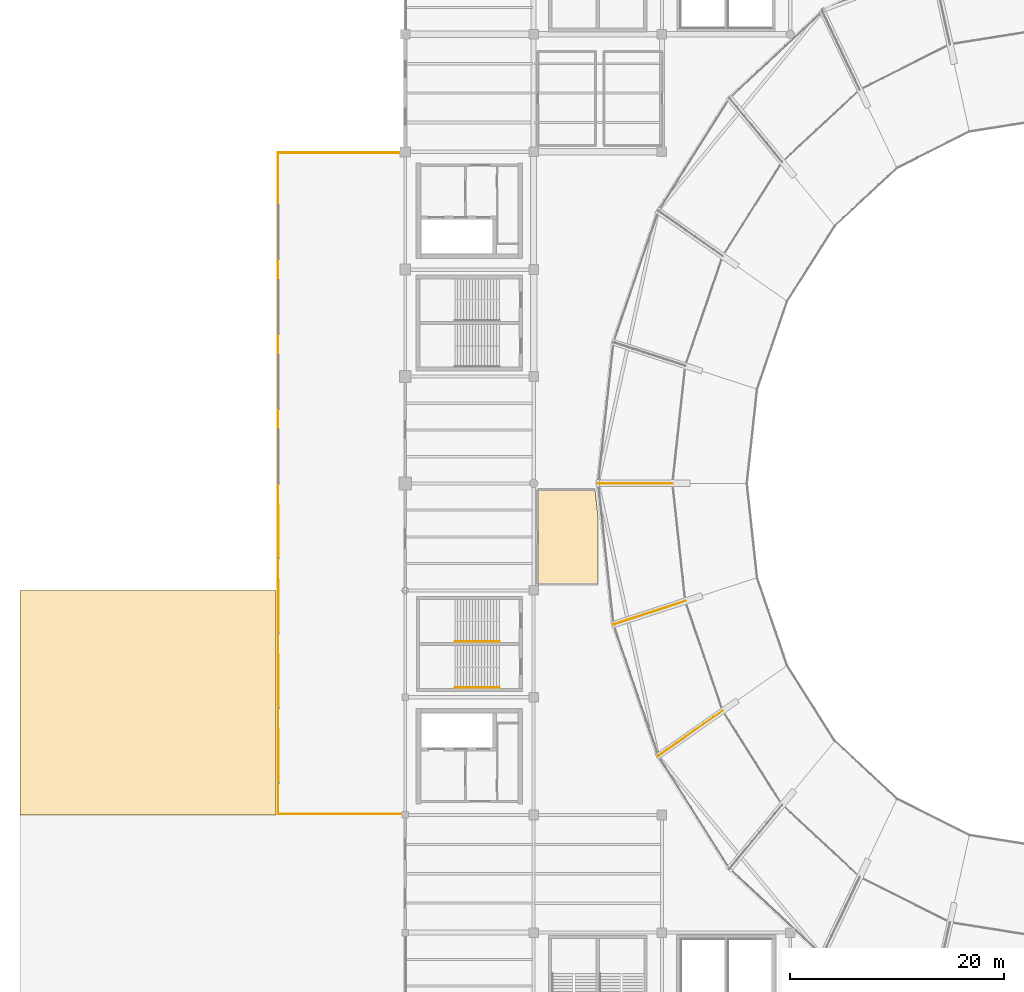
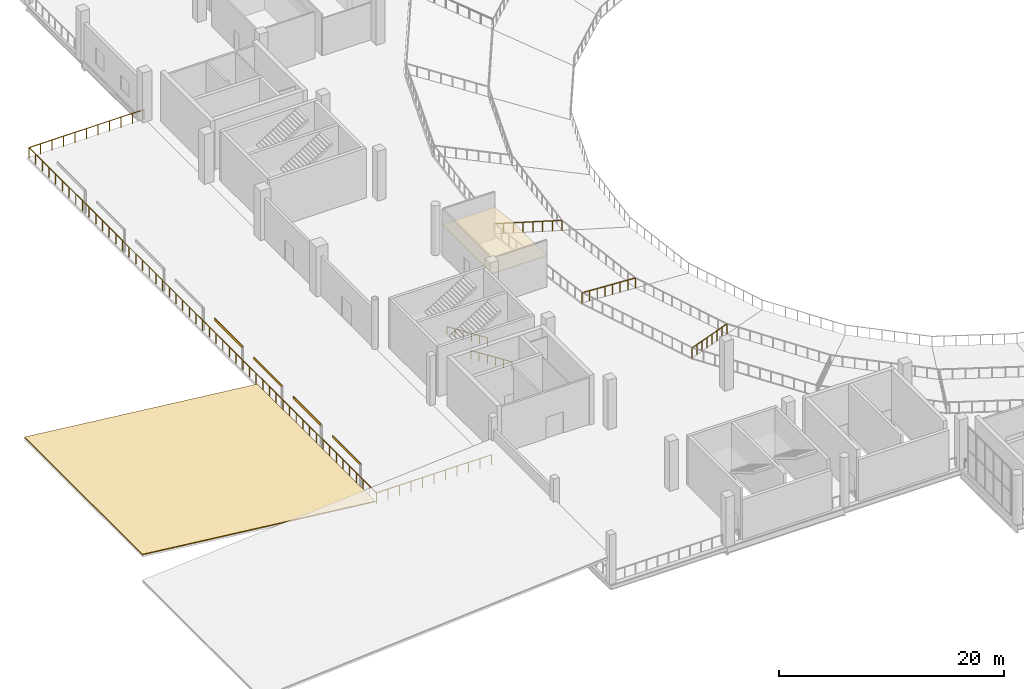
# One storey, part 64 of 74: 6 railings, 4 shading devices, 2 coverings.
"""IFC4 building model written with IfcOpenShell, lengths in metres."""

from ifc_helpers import new_model, si_unit, direction, frame, origin, origin_2d, place, context, subcontext, project, spatial, polyline, rectangle, circle, outline, extrude, material, layer, layer_set, material_profile, profile_set, type_object, element, save


model = new_model("IFC4")

# Units and contexts
model_context = context("Model", 3, precision=1e-05, world=origin(), true_north=direction((0.0, 1.0)))
body_context = subcontext(model_context, "Body", "Model", "MODEL_VIEW")
ifc_project = project(units=[si_unit("LENGTHUNIT", "METRE"), si_unit("AREAUNIT", "SQUARE_METRE"), si_unit("VOLUMEUNIT", "CUBIC_METRE"), si_unit("PLANEANGLEUNIT", "RADIAN"), si_unit("MASSUNIT", "GRAM", prefix="KILO")], contexts=[model_context])

# Site, building, storey
site_placement = place(None, origin())
site = spatial("IfcSite", under=ifc_project, at=site_placement, CompositionType="ELEMENT")
building_placement = place(site_placement, origin())
building = spatial("IfcBuilding", under=site, at=building_placement, Name="Brinegate Civic Arena", CompositionType="ELEMENT")
storey_placement = place(building_placement, frame((0.0, 0.0, 19.199951171875)))
storey = spatial("IfcBuildingStorey", under=building, at=storey_placement, Name="L04", CompositionType="ELEMENT", Elevation=19.199951171875)

# Covering
ifc_material_1 = material(Name="Acoustic perforated aluminium ceiling", Category="aluminium")
ifc_layer_1 = layer(ifc_material_1, 0.044921875, Name="Acoustic perforated aluminium ceiling")
ifc_layer_set_1 = layer_set([ifc_layer_1], Name="Acoustic perforated aluminium ceiling")
covering_type_1 = type_object("IfcCoveringType", Name="CEILING-BAFFLE-45", PredefinedType="CEILING", material=ifc_layer_set_1)
covering_1_placement = place(storey_placement, frame((0.0, 0.0, 3.304931640625)))
element("IfcCovering", 1, at=covering_1_placement, inside=storey, type_object=covering_type_1, Name="Acoustic Ceiling L04-005", PredefinedType="CEILING", context=body_context, shape_type="SweptSolid", body=[
    extrude(outline(polyline([(60.39599609375, 52.580078125), (60.39404296875, 52.5810546875), (60.39208984375, 52.58203125), (60.39111328125, 52.58203125), (60.388916015625, 52.5830078125), (60.386962890625, 52.5849609375), (60.385986328125, 52.5859375), (60.385009765625, 52.5869140625), (60.383056640625, 52.589111328125), (60.382080078125, 52.591064453125), (60.382080078125, 52.592041015625), (60.381103515625, 52.593994140625), (60.3798828125, 52.595947265625), (60.3798828125, 52.597900390625), (60.3798828125, 52.60009765625), (60.3798828125, 61.39990234375), (60.3798828125, 61.402099609375), (60.3798828125, 61.404052734375), (60.381103515625, 61.406005859375), (60.382080078125, 61.407958984375), (60.382080078125, 61.408935546875), (60.383056640625, 61.410888671875), (60.385009765625, 61.4130859375), (60.385986328125, 61.4140625), (60.386962890625, 61.4150390625), (60.388916015625, 61.4169921875), (60.39111328125, 61.41796875), (60.39208984375, 61.41796875), (60.39404296875, 61.4189453125), (60.39599609375, 61.419921875), (60.39794921875, 61.419921875), (60.39990234375, 61.419921875), (65.72412109375, 61.419921875), (65.72607421875, 61.419921875), (65.72802734375, 61.419921875), (65.72998046875, 61.4189453125), (65.73193359375, 61.41796875), (65.73291015625, 61.41796875), (65.735107421875, 61.4169921875), (65.737060546875, 61.416015625), (65.738037109375, 61.4140625), (65.739013671875, 61.4130859375), (65.740966796875, 61.410888671875), (65.741943359375, 61.409912109375), (65.741943359375, 61.407958984375), (65.742919921875, 61.406005859375), (65.743896484375, 61.404052734375), (65.743896484375, 61.402099609375), (66.02001953125, 58.85693359375), (66.02001953125, 58.85498046875), (66.02001953125, 52.60009765625), (66.02001953125, 52.597900390625), (66.02001953125, 52.595947265625), (66.01904296875, 52.593994140625), (66.01806640625, 52.592041015625), (66.01806640625, 52.591064453125), (66.01708984375, 52.589111328125), (66.014892578125, 52.5869140625), (66.013916015625, 52.5859375), (66.012939453125, 52.5849609375), (66.010986328125, 52.5830078125), (66.009033203125, 52.58203125), (66.008056640625, 52.58203125), (66.006103515625, 52.5810546875), (66.00390625, 52.580078125), (66.001953125, 52.580078125), (66.0, 52.580078125), (60.39990234375, 52.580078125), (60.39794921875, 52.580078125), (60.39599609375, 52.580078125)])), origin(), (0.0, 0.0, 1.0), 0.045166015625),
])

# Railings
ifc_material_2 = material(Name="Architectural stainless steel balustrade", Category="steel")
railing_type_1 = type_object("IfcRailingType", Name="RAIL-BOWL-BARRIER-1100", PredefinedType="GUARDRAIL", material=ifc_material_2)
railing_1_placement = place(storey_placement, frame((73.0, 62.0, -2.074951171875)))
element("IfcRailing", 2, at=railing_1_placement, inside=storey, type_object=railing_type_1, Name="Upper Bowl Radial Aisle Guard RAD-13", PredefinedType="GUARDRAIL", context=body_context, shape_type="SweptSolid", body=[
    extrude(circle(Radius=0.02392578125, at=origin_2d()), frame((-0.00146484375, 0.0, 1.096435546875), z_axis=(-0.958765384118, 0.0, 0.284198765333), x_axis=(0.0, -1.0, 0.0)), (0.0, 0.0, 1.0), 7.298095703125),
    extrude(circle(Radius=0.02099609375, at=origin_2d()), origin(), (0.0, 0.0, 1.0), 1.070068359375),
    extrude(circle(Radius=0.02099609375, at=origin_2d()), frame((-1.0, 0.0, 0.29638671875)), (0.0, 0.0, 1.0), 1.070068359375),
    extrude(circle(Radius=0.02099609375, at=origin_2d()), frame((-2.0, 0.0, 0.5927734375)), (0.0, 0.0, 1.0), 1.070068359375),
    extrude(circle(Radius=0.02099609375, at=origin_2d()), frame((-3.0, 0.0, 0.88916015625)), (0.0, 0.0, 1.0), 1.070068359375),
    extrude(circle(Radius=0.02099609375, at=origin_2d()), frame((-4.0, 0.0, 1.185791015625)), (0.0, 0.0, 1.0), 1.070068359375),
    extrude(circle(Radius=0.02099609375, at=origin_2d()), frame((-5.0, 0.0, 1.482177734375)), (0.0, 0.0, 1.0), 1.070068359375),
    extrude(circle(Radius=0.02099609375, at=origin_2d()), frame((-6.0, 0.0, 1.778564453125)), (0.0, 0.0, 1.0), 1.070068359375),
    extrude(circle(Radius=0.02099609375, at=origin_2d()), frame((-7.0, 0.0, 2.074951171875)), (0.0, 0.0, 1.0), 1.070068359375),
])
railing_2_placement = place(storey_placement, frame((74.193115234375, 51.0, -2.074951171875)))
element("IfcRailing", 3, at=railing_2_placement, inside=storey, type_object=railing_type_1, Name="Upper Bowl Radial Aisle Guard RAD-14", PredefinedType="GUARDRAIL", context=body_context, shape_type="SweptSolid", body=[
    extrude(circle(Radius=0.02392578125, at=origin_2d()), frame((-0.00146484375, -0.00048828125, 1.096435546875), z_axis=(-0.912873268737, -0.296985378893, 0.280110835114), x_axis=(0.309370189607, -0.950941683692, 0.0)), (0.0, 0.0, 1.0), 7.404541015625),
    extrude(circle(Radius=0.02099609375, at=origin_2d()), origin(), (0.0, 0.0, 1.0), 1.070068359375),
    extrude(circle(Radius=0.02099609375, at=origin_2d()), frame((-0.966064453125, -0.314208984375, 0.29638671875)), (0.0, 0.0, 1.0), 1.070068359375),
    extrude(circle(Radius=0.02099609375, at=origin_2d()), frame((-1.93212890625, -0.628662109375, 0.5927734375)), (0.0, 0.0, 1.0), 1.070068359375),
    extrude(circle(Radius=0.02099609375, at=origin_2d()), frame((-2.898193359375, -0.94287109375, 0.88916015625)), (0.0, 0.0, 1.0), 1.070068359375),
    extrude(circle(Radius=0.02099609375, at=origin_2d()), frame((-3.864013671875, -1.257080078125, 1.185791015625)), (0.0, 0.0, 1.0), 1.070068359375),
    extrude(circle(Radius=0.02099609375, at=origin_2d()), frame((-4.830078125, -1.5712890625, 1.482177734375)), (0.0, 0.0, 1.0), 1.070068359375),
    extrude(circle(Radius=0.02099609375, at=origin_2d()), frame((-5.796142578125, -1.8857421875, 1.778564453125)), (0.0, 0.0, 1.0), 1.070068359375),
    extrude(circle(Radius=0.02099609375, at=origin_2d()), frame((-6.76220703125, -2.199951171875, 2.074951171875)), (0.0, 0.0, 1.0), 1.070068359375),
])
railing_3_placement = place(storey_placement, frame((77.68896484375, 40.75, -2.074951171875)))
element("IfcRailing", 4, at=railing_3_placement, inside=storey, type_object=railing_type_1, Name="Upper Bowl Radial Aisle Guard RAD-15", PredefinedType="GUARDRAIL", context=body_context, shape_type="SweptSolid", body=[
    extrude(circle(Radius=0.02392578125, at=origin_2d()), frame((-0.001220703125, -0.000732421875, 1.096435546875), z_axis=(-0.788432626392, -0.552760175603, 0.269870676267), x_axis=(0.574059757588, -0.818813406533, 0.0)), (0.0, 0.0, 1.0), 7.685791015625),
    extrude(circle(Radius=0.02099609375, at=origin_2d()), origin(), (0.0, 0.0, 1.0), 1.070068359375),
    extrude(circle(Radius=0.02099609375, at=origin_2d()), frame((-0.865966796875, -0.607177734375, 0.29638671875)), (0.0, 0.0, 1.0), 1.070068359375),
    extrude(circle(Radius=0.02099609375, at=origin_2d()), frame((-1.73193359375, -1.21435546875, 0.5927734375)), (0.0, 0.0, 1.0), 1.070068359375),
    extrude(circle(Radius=0.02099609375, at=origin_2d()), frame((-2.597900390625, -1.821533203125, 0.88916015625)), (0.0, 0.0, 1.0), 1.070068359375),
    extrude(circle(Radius=0.02099609375, at=origin_2d()), frame((-3.464111328125, -2.428466796875, 1.185791015625)), (0.0, 0.0, 1.0), 1.070068359375),
    extrude(circle(Radius=0.02099609375, at=origin_2d()), frame((-4.330078125, -3.03564453125, 1.482177734375)), (0.0, 0.0, 1.0), 1.070068359375),
    extrude(circle(Radius=0.02099609375, at=origin_2d()), frame((-5.196044921875, -3.642822265625, 1.778564453125)), (0.0, 0.0, 1.0), 1.070068359375),
    extrude(circle(Radius=0.02099609375, at=origin_2d()), frame((-6.06201171875, -4.25, 2.074951171875)), (0.0, 0.0, 1.0), 1.070068359375),
])
railing_type_2 = type_object("IfcRailingType", Name="RAIL-EXT-GUARD-1100", PredefinedType="GUARDRAIL", material=ifc_material_2)
railing_4_placement = place(storey_placement, frame((47.919921875, 31.080078125, 0.0)))
element("IfcRailing", 5, at=railing_4_placement, inside=storey, type_object=railing_type_2, Name="L04 Outdoor Loggia Perimeter Guard GR-02", PredefinedType="GUARDRAIL", context=body_context, shape_type="SweptSolid", body=[
    extrude(circle(Radius=0.02392578125, at=origin_2d()), frame((-0.00146484375, 0.0, 1.09619140625), z_axis=(-1.0, 0.0, 0.0), x_axis=(0.0, -1.0, 0.0)), (0.0, 0.0, 1.0), 11.8369140625),
    extrude(circle(Radius=0.02392578125, at=origin_2d()), frame((-11.83984375, 0.00146484375, 1.09619140625), z_axis=(0.0, 1.0, 0.0), x_axis=(-1.0, 0.0, 0.0)), (0.0, 0.0, 1.0), 61.8369140625),
    extrude(circle(Radius=0.02392578125, at=origin_2d()), frame((-11.83837890625, 61.83984375, 1.09619140625), z_axis=(1.0, 0.0, 0.0), x_axis=(0.0, 1.0, 0.0)), (0.0, 0.0, 1.0), 11.8369140625),
    extrude(circle(Radius=0.02099609375, at=origin_2d()), origin(), (0.0, 0.0, 1.0), 1.070068359375),
    extrude(circle(Radius=0.02099609375, at=origin_2d()), frame((-1.18408203125, 0.0, 0.0)), (0.0, 0.0, 1.0), 1.070068359375),
    extrude(circle(Radius=0.02099609375, at=origin_2d()), frame((-2.367919921875, 0.0, 0.0)), (0.0, 0.0, 1.0), 1.070068359375),
    extrude(circle(Radius=0.02099609375, at=origin_2d()), frame((-3.552001953125, 0.0, 0.0)), (0.0, 0.0, 1.0), 1.070068359375),
    extrude(circle(Radius=0.02099609375, at=origin_2d()), frame((-4.73583984375, 0.0, 0.0)), (0.0, 0.0, 1.0), 1.070068359375),
    extrude(circle(Radius=0.02099609375, at=origin_2d()), frame((-5.919921875, 0.0, 0.0)), (0.0, 0.0, 1.0), 1.070068359375),
    extrude(circle(Radius=0.02099609375, at=origin_2d()), frame((-7.10400390625, 0.0, 0.0)), (0.0, 0.0, 1.0), 1.070068359375),
    extrude(circle(Radius=0.02099609375, at=origin_2d()), frame((-8.287841796875, 0.0, 0.0)), (0.0, 0.0, 1.0), 1.070068359375),
    extrude(circle(Radius=0.02099609375, at=origin_2d()), frame((-9.471923828125, 0.0, 0.0)), (0.0, 0.0, 1.0), 1.070068359375),
    extrude(circle(Radius=0.02099609375, at=origin_2d()), frame((-10.65576171875, 0.0, 0.0)), (0.0, 0.0, 1.0), 1.070068359375),
    extrude(circle(Radius=0.02099609375, at=origin_2d()), frame((-11.83984375, 0.0, 0.0)), (0.0, 0.0, 1.0), 1.070068359375),
    extrude(circle(Radius=0.02099609375, at=origin_2d()), frame((-11.83984375, 1.189208984375, 0.0)), (0.0, 0.0, 1.0), 1.070068359375),
    extrude(circle(Radius=0.02099609375, at=origin_2d()), frame((-11.83984375, 2.37841796875, 0.0)), (0.0, 0.0, 1.0), 1.070068359375),
    extrude(circle(Radius=0.02099609375, at=origin_2d()), frame((-11.83984375, 3.567626953125, 0.0)), (0.0, 0.0, 1.0), 1.070068359375),
    extrude(circle(Radius=0.02099609375, at=origin_2d()), frame((-11.83984375, 4.7568359375, 0.0)), (0.0, 0.0, 1.0), 1.070068359375),
    extrude(circle(Radius=0.02099609375, at=origin_2d()), frame((-11.83984375, 5.946044921875, 0.0)), (0.0, 0.0, 1.0), 1.070068359375),
    extrude(circle(Radius=0.02099609375, at=origin_2d()), frame((-11.83984375, 7.13525390625, 0.0)), (0.0, 0.0, 1.0), 1.070068359375),
    extrude(circle(Radius=0.02099609375, at=origin_2d()), frame((-11.83984375, 8.32470703125, 0.0)), (0.0, 0.0, 1.0), 1.070068359375),
    extrude(circle(Radius=0.02099609375, at=origin_2d()), frame((-11.83984375, 9.513916015625, 0.0)), (0.0, 0.0, 1.0), 1.070068359375),
    extrude(circle(Radius=0.02099609375, at=origin_2d()), frame((-11.83984375, 10.703125, 0.0)), (0.0, 0.0, 1.0), 1.070068359375),
    extrude(circle(Radius=0.02099609375, at=origin_2d()), frame((-11.83984375, 11.892333984375, 0.0)), (0.0, 0.0, 1.0), 1.070068359375),
    extrude(circle(Radius=0.02099609375, at=origin_2d()), frame((-11.83984375, 13.08154296875, 0.0)), (0.0, 0.0, 1.0), 1.070068359375),
    extrude(circle(Radius=0.02099609375, at=origin_2d()), frame((-11.83984375, 14.270751953125, 0.0)), (0.0, 0.0, 1.0), 1.070068359375),
    extrude(circle(Radius=0.02099609375, at=origin_2d()), frame((-11.83984375, 15.4599609375, 0.0)), (0.0, 0.0, 1.0), 1.070068359375),
    extrude(circle(Radius=0.02099609375, at=origin_2d()), frame((-11.83984375, 16.649169921875, 0.0)), (0.0, 0.0, 1.0), 1.070068359375),
    extrude(circle(Radius=0.02099609375, at=origin_2d()), frame((-11.83984375, 17.83837890625, 0.0)), (0.0, 0.0, 1.0), 1.070068359375),
    extrude(circle(Radius=0.02099609375, at=origin_2d()), frame((-11.83984375, 19.027587890625, 0.0)), (0.0, 0.0, 1.0), 1.070068359375),
    extrude(circle(Radius=0.02099609375, at=origin_2d()), frame((-11.83984375, 20.216796875, 0.0)), (0.0, 0.0, 1.0), 1.070068359375),
    extrude(circle(Radius=0.02099609375, at=origin_2d()), frame((-11.83984375, 21.406005859375, 0.0)), (0.0, 0.0, 1.0), 1.070068359375),
    extrude(circle(Radius=0.02099609375, at=origin_2d()), frame((-11.83984375, 22.59521484375, 0.0)), (0.0, 0.0, 1.0), 1.070068359375),
    extrude(circle(Radius=0.02099609375, at=origin_2d()), frame((-11.83984375, 23.78466796875, 0.0)), (0.0, 0.0, 1.0), 1.070068359375),
    extrude(circle(Radius=0.02099609375, at=origin_2d()), frame((-11.83984375, 24.973876953125, 0.0)), (0.0, 0.0, 1.0), 1.070068359375),
    extrude(circle(Radius=0.02099609375, at=origin_2d()), frame((-11.83984375, 26.1630859375, 0.0)), (0.0, 0.0, 1.0), 1.070068359375),
    extrude(circle(Radius=0.02099609375, at=origin_2d()), frame((-11.83984375, 27.352294921875, 0.0)), (0.0, 0.0, 1.0), 1.070068359375),
    extrude(circle(Radius=0.02099609375, at=origin_2d()), frame((-11.83984375, 28.54150390625, 0.0)), (0.0, 0.0, 1.0), 1.070068359375),
    extrude(circle(Radius=0.02099609375, at=origin_2d()), frame((-11.83984375, 29.730712890625, 0.0)), (0.0, 0.0, 1.0), 1.070068359375),
    extrude(circle(Radius=0.02099609375, at=origin_2d()), frame((-11.83984375, 30.919921875, 0.0)), (0.0, 0.0, 1.0), 1.070068359375),
    extrude(circle(Radius=0.02099609375, at=origin_2d()), frame((-11.83984375, 32.109130859375, 0.0)), (0.0, 0.0, 1.0), 1.070068359375),
    extrude(circle(Radius=0.02099609375, at=origin_2d()), frame((-11.83984375, 33.29833984375, 0.0)), (0.0, 0.0, 1.0), 1.070068359375),
    extrude(circle(Radius=0.02099609375, at=origin_2d()), frame((-11.83984375, 34.487548828125, 0.0)), (0.0, 0.0, 1.0), 1.070068359375),
    extrude(circle(Radius=0.02099609375, at=origin_2d()), frame((-11.83984375, 35.6767578125, 0.0)), (0.0, 0.0, 1.0), 1.070068359375),
    extrude(circle(Radius=0.02099609375, at=origin_2d()), frame((-11.83984375, 36.865966796875, 0.0)), (0.0, 0.0, 1.0), 1.070068359375),
    extrude(circle(Radius=0.02099609375, at=origin_2d()), frame((-11.83984375, 38.05517578125, 0.0)), (0.0, 0.0, 1.0), 1.070068359375),
    extrude(circle(Radius=0.02099609375, at=origin_2d()), frame((-11.83984375, 39.24462890625, 0.0)), (0.0, 0.0, 1.0), 1.070068359375),
    extrude(circle(Radius=0.02099609375, at=origin_2d()), frame((-11.83984375, 40.433837890625, 0.0)), (0.0, 0.0, 1.0), 1.070068359375),
    extrude(circle(Radius=0.02099609375, at=origin_2d()), frame((-11.83984375, 41.623046875, 0.0)), (0.0, 0.0, 1.0), 1.070068359375),
    extrude(circle(Radius=0.02099609375, at=origin_2d()), frame((-11.83984375, 42.812255859375, 0.0)), (0.0, 0.0, 1.0), 1.070068359375),
    extrude(circle(Radius=0.02099609375, at=origin_2d()), frame((-11.83984375, 44.00146484375, 0.0)), (0.0, 0.0, 1.0), 1.070068359375),
    extrude(circle(Radius=0.02099609375, at=origin_2d()), frame((-11.83984375, 45.190673828125, 0.0)), (0.0, 0.0, 1.0), 1.070068359375),
    extrude(circle(Radius=0.02099609375, at=origin_2d()), frame((-11.83984375, 46.3798828125, 0.0)), (0.0, 0.0, 1.0), 1.070068359375),
    extrude(circle(Radius=0.02099609375, at=origin_2d()), frame((-11.83984375, 47.569091796875, 0.0)), (0.0, 0.0, 1.0), 1.070068359375),
    extrude(circle(Radius=0.02099609375, at=origin_2d()), frame((-11.83984375, 48.75830078125, 0.0)), (0.0, 0.0, 1.0), 1.070068359375),
    extrude(circle(Radius=0.02099609375, at=origin_2d()), frame((-11.83984375, 49.947509765625, 0.0)), (0.0, 0.0, 1.0), 1.070068359375),
    extrude(circle(Radius=0.02099609375, at=origin_2d()), frame((-11.83984375, 51.13671875, 0.0)), (0.0, 0.0, 1.0), 1.070068359375),
    extrude(circle(Radius=0.02099609375, at=origin_2d()), frame((-11.83984375, 52.325927734375, 0.0)), (0.0, 0.0, 1.0), 1.070068359375),
    extrude(circle(Radius=0.02099609375, at=origin_2d()), frame((-11.83984375, 53.51513671875, 0.0)), (0.0, 0.0, 1.0), 1.070068359375),
    extrude(circle(Radius=0.02099609375, at=origin_2d()), frame((-11.83984375, 54.70458984375, 0.0)), (0.0, 0.0, 1.0), 1.070068359375),
    extrude(circle(Radius=0.02099609375, at=origin_2d()), frame((-11.83984375, 55.893798828125, 0.0)), (0.0, 0.0, 1.0), 1.070068359375),
    extrude(circle(Radius=0.02099609375, at=origin_2d()), frame((-11.83984375, 57.0830078125, 0.0)), (0.0, 0.0, 1.0), 1.070068359375),
    extrude(circle(Radius=0.02099609375, at=origin_2d()), frame((-11.83984375, 58.272216796875, 0.0)), (0.0, 0.0, 1.0), 1.070068359375),
    extrude(circle(Radius=0.02099609375, at=origin_2d()), frame((-11.83984375, 59.46142578125, 0.0)), (0.0, 0.0, 1.0), 1.070068359375),
    extrude(circle(Radius=0.02099609375, at=origin_2d()), frame((-11.83984375, 60.650634765625, 0.0)), (0.0, 0.0, 1.0), 1.070068359375),
    extrude(circle(Radius=0.02099609375, at=origin_2d()), frame((-11.83984375, 61.83984375, 0.0)), (0.0, 0.0, 1.0), 1.070068359375),
    extrude(circle(Radius=0.02099609375, at=origin_2d()), frame((-10.65576171875, 61.83984375, 0.0)), (0.0, 0.0, 1.0), 1.070068359375),
    extrude(circle(Radius=0.02099609375, at=origin_2d()), frame((-9.471923828125, 61.83984375, 0.0)), (0.0, 0.0, 1.0), 1.070068359375),
    extrude(circle(Radius=0.02099609375, at=origin_2d()), frame((-8.287841796875, 61.83984375, 0.0)), (0.0, 0.0, 1.0), 1.070068359375),
    extrude(circle(Radius=0.02099609375, at=origin_2d()), frame((-7.10400390625, 61.83984375, 0.0)), (0.0, 0.0, 1.0), 1.070068359375),
    extrude(circle(Radius=0.02099609375, at=origin_2d()), frame((-5.919921875, 61.83984375, 0.0)), (0.0, 0.0, 1.0), 1.070068359375),
    extrude(circle(Radius=0.02099609375, at=origin_2d()), frame((-4.73583984375, 61.83984375, 0.0)), (0.0, 0.0, 1.0), 1.070068359375),
    extrude(circle(Radius=0.02099609375, at=origin_2d()), frame((-3.552001953125, 61.83984375, 0.0)), (0.0, 0.0, 1.0), 1.070068359375),
    extrude(circle(Radius=0.02099609375, at=origin_2d()), frame((-2.367919921875, 61.83984375, 0.0)), (0.0, 0.0, 1.0), 1.070068359375),
    extrude(circle(Radius=0.02099609375, at=origin_2d()), frame((-1.18408203125, 61.83984375, 0.0)), (0.0, 0.0, 1.0), 1.070068359375),
    extrude(circle(Radius=0.02099609375, at=origin_2d()), frame((0.0, 61.83984375, 0.0)), (0.0, 0.0, 1.0), 1.070068359375),
])
railing_type_3 = type_object("IfcRailingType", Name="RAIL-STAIR-HANDRAIL-900", PredefinedType="HANDRAIL", material=ifc_material_2)
for number, where, name in (
    (6, (52.6298828125, 42.925048828125, 2.699951171875), "Stair Pitch Handrail ST-08A L04"),
    (7, (52.6298828125, 47.22509765625, 2.699951171875), "Stair Pitch Handrail ST-08B L04"),
):
    element("IfcRailing", number, at=place(storey_placement, frame(where)), inside=storey, type_object=railing_type_3, Name=name, PredefinedType="HANDRAIL", context=body_context, shape_type="SweptSolid", body=[
        extrude(circle(Radius=0.02392578125, at=origin_2d()), frame((0.001220703125, 0.0, 0.875), z_axis=(0.841194361566, 0.0, -0.540732878665), x_axis=(0.0, 1.0, 0.0)), (0.0, 0.0, 1.0), 4.990234375),
        extrude(circle(Radius=0.02099609375, at=origin_2d()), origin(), (0.0, 0.0, 1.0), 0.849853515625),
        extrude(circle(Radius=0.02099609375, at=origin_2d()), frame((0.840087890625, 0.0, -0.5400390625)), (0.0, 0.0, 1.0), 0.849853515625),
        extrude(circle(Radius=0.02099609375, at=origin_2d()), frame((1.68017578125, 0.0, -1.080078125)), (0.0, 0.0, 1.0), 0.849853515625),
        extrude(circle(Radius=0.02099609375, at=origin_2d()), frame((2.52001953125, 0.0, -1.619873046875)), (0.0, 0.0, 1.0), 0.849853515625),
        extrude(circle(Radius=0.02099609375, at=origin_2d()), frame((3.360107421875, 0.0, -2.159912109375)), (0.0, 0.0, 1.0), 0.849853515625),
        extrude(circle(Radius=0.02099609375, at=origin_2d()), frame((4.2001953125, 0.0, -2.699951171875)), (0.0, 0.0, 1.0), 0.849853515625),
    ])

# Covering
ifc_material_3 = material(Name="Standing-seam insulated aluminium roofing", Category="aluminium")
ifc_layer_2 = layer(ifc_material_3, 0.10009765625, Name="Standing-seam insulated aluminium roofing")
ifc_layer_set_2 = layer_set([ifc_layer_2], Name="Standing-seam insulated aluminium roofing")
covering_type_2 = type_object("IfcCoveringType", Name="ROOFING-WING-SEAM-100", PredefinedType="ROOFING", material=ifc_layer_set_2)
covering_2_placement = place(storey_placement, frame((12.0, 31.0, 2.905029296875), z_axis=(0.108875726326, 0.0, 0.994055368788), x_axis=(0.994055368788, 0.0, -0.108875726326)))
element("IfcCovering", 8, at=covering_2_placement, inside=storey, type_object=covering_type_2, Name="Standing Seam Roof Covering RFG-005", PredefinedType="ROOFING", context=body_context, shape_type="SweptSolid", body=[
    extrude(outline(polyline([(0.0, 0.0), (24.062967341702592, 0.0), (24.062967341702592, 21.0), (0.0, 21.0), (0.0, 0.0)])), origin(), (0.0, 0.0, -1.0), 0.10009765625),
])

# Shading devices
ifc_material_4 = material(Name="Marine grade aluminium", Category="aluminium")
ifc_material_profile_1 = material_profile(ifc_material_4, rectangle(XDim=0.050048828125, YDim=0.239990234375, at=origin_2d()), Name="LVR50X240")
ifc_profile_set_1 = profile_set([ifc_material_profile_1], Name="Marine grade aluminium")
shading_device_type_1 = type_object("IfcShadingDeviceType", Name="SHADE-STORM-SHUTTER-240", PredefinedType="SHUTTER", material=ifc_profile_set_1)
for number, where, z_axis, x_axis, name in (
    (9, (36.14990234375, 34.0, 2.400146484375), (0.0, 1.0, 0.0), (-1.0, 0.0, 0.0), "Hurricane Storm Louvre SHD-LOG-001"),
    (10, (36.14990234375, 48.0, 2.400146484375), (0.0, 1.0, 0.0), (-1.0, 0.0, 0.0), "Hurricane Storm Louvre SHD-LOG-003"),
):
    element("IfcShadingDevice", number, at=place(storey_placement, frame(where, z_axis=z_axis, x_axis=x_axis)), inside=storey, type_object=shading_device_type_1, Name=name, PredefinedType="SHUTTER", context=body_context, shape_type="SweptSolid", body=[
        extrude(rectangle(XDim=0.050048828125, YDim=0.239990234375, at=origin_2d()), origin(), (0.0, 0.0, 1.0), 5.0),
    ])
ifc_material_profile_2 = material_profile(ifc_material_4, rectangle(XDim=0.06005859375, YDim=0.300048828125, at=origin_2d()), Name="LVR60X300")
ifc_profile_set_2 = profile_set([ifc_material_profile_2], Name="Marine grade aluminium")
shading_device_type_2 = type_object("IfcShadingDeviceType", Name="SHADE-STORM-SHUTTER-300", PredefinedType="SHUTTER", material=ifc_profile_set_2)
for number, where, z_axis, x_axis, name in (
    (11, (36.14990234375, 41.0, 2.400146484375), (0.0, 1.0, 0.0), (-1.0, 0.0, 0.0), "Hurricane Storm Louvre SHD-LOG-002"),
    (12, (36.14990234375, 55.0, 2.400146484375), (0.0, 1.0, 0.0), (-1.0, 0.0, 0.0), "Hurricane Storm Louvre SHD-LOG-004"),
):
    element("IfcShadingDevice", number, at=place(storey_placement, frame(where, z_axis=z_axis, x_axis=x_axis)), inside=storey, type_object=shading_device_type_2, Name=name, PredefinedType="SHUTTER", context=body_context, shape_type="SweptSolid", body=[
        extrude(rectangle(XDim=0.06005859375, YDim=0.300048828125, at=origin_2d()), origin(), (0.0, 0.0, 1.0), 5.0),
    ])

save(model, "model.ifc")
